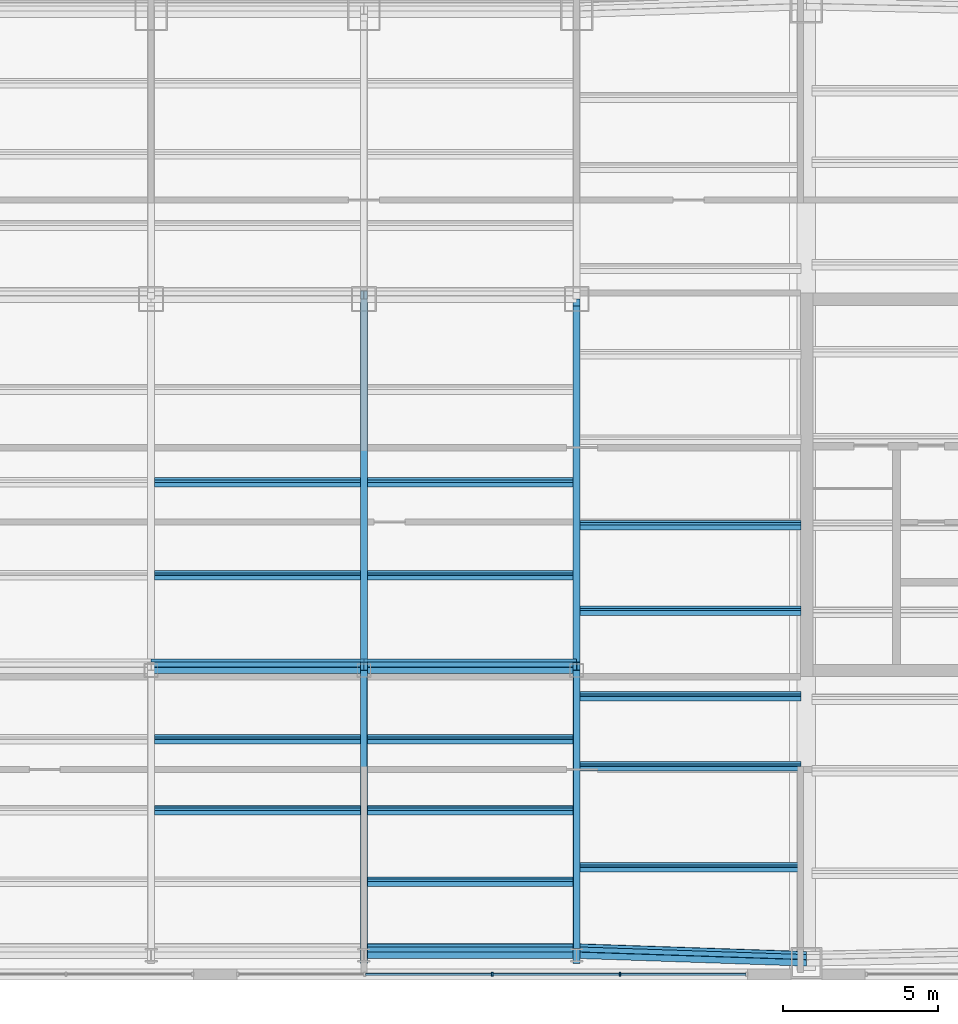
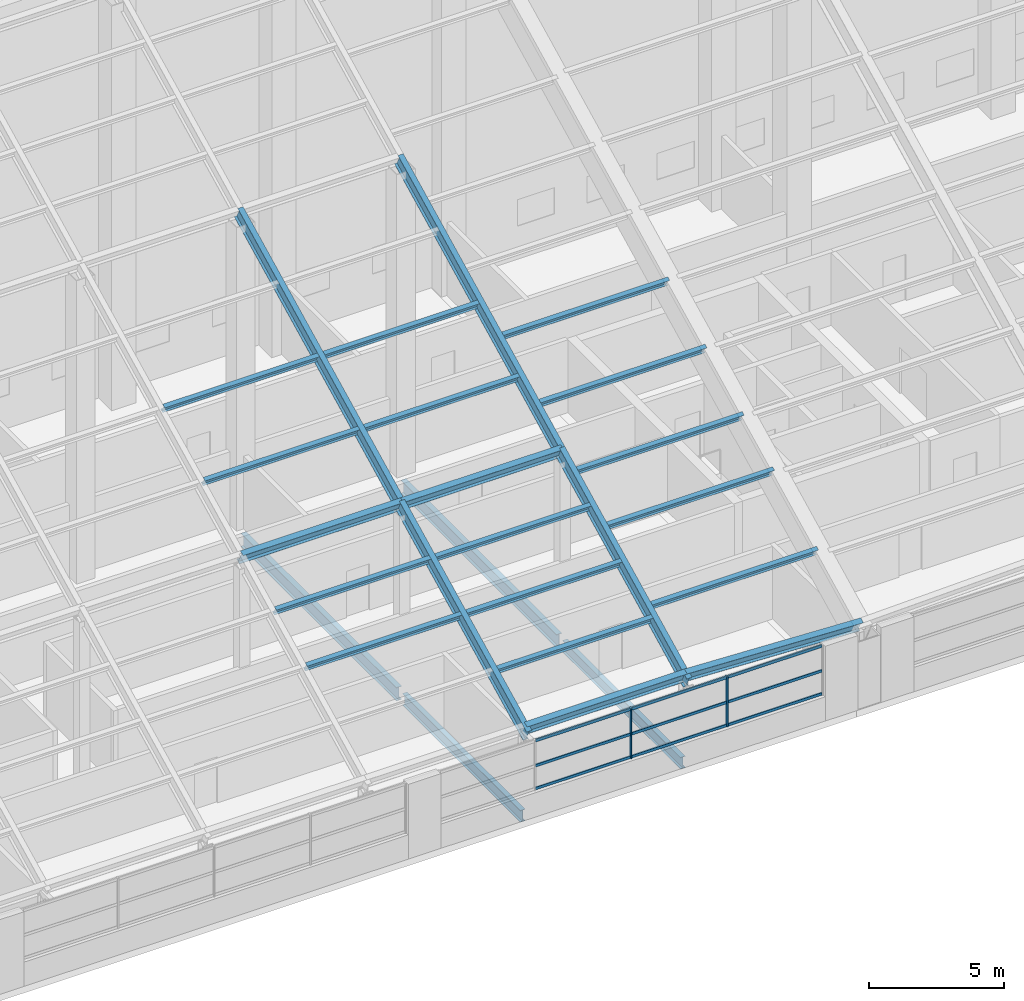
# One storey, part 11 of 28: 33 members, 4 beams, 1 element without a shape of its own.
"""IFC4 building model written with IfcOpenShell, lengths in metres."""

from ifc_helpers import new_model, si_unit, direction, frame, origin, origin_2d, place, context, subcontext, project, spatial, rectangle, i_section, extrude, material, material_profile, profile_set, type_object, element, aggregate, save


model = new_model("IFC4")

# Units and contexts
model_context = context("Model", 3, precision=1e-05, world=origin(), true_north=direction((0.0, 1.0)))
body_context = subcontext(model_context, "Body", "Model", "MODEL_VIEW")
ifc_project = project(units=[si_unit("LENGTHUNIT", "METRE"), si_unit("AREAUNIT", "SQUARE_METRE"), si_unit("VOLUMEUNIT", "CUBIC_METRE"), si_unit("PLANEANGLEUNIT", "RADIAN"), si_unit("MASSUNIT", "GRAM", prefix="KILO")], contexts=[model_context])

# Site, building, storey
site_placement = place(None, origin())
site = spatial("IfcSite", under=ifc_project, at=site_placement, CompositionType="ELEMENT")
building_placement = place(site_placement, origin())
building = spatial("IfcBuilding", under=site, at=building_placement, Name="Tuart Gate Housing", CompositionType="ELEMENT")
storey_placement = place(building_placement, frame((0.0, 0.0, 243.89990234375)))
storey = spatial("IfcBuildingStorey", under=building, at=storey_placement, Name="L68", CompositionType="ELEMENT", Elevation=243.89990234375)

# Members
ifc_material_1 = material(Name="Steel Grade 350", Category="steel")
ifc_material_profile_1 = material_profile(ifc_material_1, i_section(OverallWidth=0.22900390625, OverallDepth=0.612060546875, WebThickness=0.011962890625, FlangeThickness=0.01953125, at=origin_2d()), Name="610UB125")
ifc_profile_set_1 = profile_set([ifc_material_profile_1], Name="Steel Grade 350")
member_type_1 = type_object("IfcMemberType", Name="Crown purlin 610 UB125", PredefinedType="PURLIN", material=ifc_profile_set_1)
member_1_placement = place(storey_placement, frame((117.25, 54.936767578125, 3.426513671875), z_axis=(1.0, 0.0, 0.0), x_axis=(0.0, 0.89442680992, 0.44721435766)))
element("IfcMember", 1, at=member_1_placement, inside=storey, type_object=member_type_1, Name="Crown purlin 12", PredefinedType="PURLIN", context=body_context, shape_type="SweptSolid", body=[
    extrude(i_section(OverallWidth=0.22900390625, OverallDepth=0.612060546875, WebThickness=0.011962890625, FlangeThickness=0.01953125, at=origin_2d()), origin(), (0.0, 0.0, 1.0), 6.875),
])
member_2_placement = place(storey_placement, frame((124.125, 54.936767578125, 3.426513671875), z_axis=(0.999292216984, -0.03364598133, -0.016822990665), x_axis=(0.037617349195, 0.893667083504, 0.44715106944)))
element("IfcMember", 2, at=member_2_placement, inside=storey, type_object=member_type_1, Name="Crown purlin 13", PredefinedType="PURLIN", context=body_context, shape_type="SweptSolid", body=[
    extrude(i_section(OverallWidth=0.22900390625, OverallDepth=0.612060546875, WebThickness=0.011962890625, FlangeThickness=0.01953125, at=origin_2d()), origin(), (0.0, 0.0, 1.0), 7.430419921875),
])
for number, where, z_axis, x_axis, name in (
    (3, (110.375, 64.13671875, 8.0263671875), (1.0, 0.0, 0.0), (0.0, 0.89442680992, 0.44721435766), "Crown purlin 23"),
    (4, (117.25, 64.13671875, 8.0263671875), (1.0, 0.0, 0.0), (0.0, 0.89442680992, 0.44721435766), "Crown purlin 24"),
):
    element("IfcMember", number, at=place(storey_placement, frame(where, z_axis=z_axis, x_axis=x_axis)), inside=storey, type_object=member_type_1, Name=name, PredefinedType="PURLIN", context=body_context, shape_type="SweptSolid", body=[
        extrude(i_section(OverallWidth=0.22900390625, OverallDepth=0.612060546875, WebThickness=0.011962890625, FlangeThickness=0.01953125, at=origin_2d()), origin(), (0.0, 0.0, 1.0), 6.875),
    ])
ifc_material_2 = material(Name="Steel Grade 350", Category="steel")
ifc_material_profile_2 = material_profile(ifc_material_2, i_section(OverallWidth=0.22900390625, OverallDepth=0.612060546875, WebThickness=0.011962890625, FlangeThickness=0.01953125, at=origin_2d()), Name="610UB125")
ifc_profile_set_2 = profile_set([ifc_material_profile_2], Name="Steel Grade 350")
member_type_2 = type_object("IfcMemberType", Name="Crown rafter 610 UB125 (10.3-10.6 m)", PredefinedType="RAFTER", material=ifc_profile_set_2)
for number, where, z_axis, x_axis, name in (
    (5, (117.25, 54.6630859375, 3.28955078125), (0.0, 0.894427191, 0.4472135955), (-1.0, 0.0, 0.0), "Crown rafter 27"),
    (6, (124.125, 54.6630859375, 3.28955078125), (0.0, 0.894427191, 0.4472135955), (-1.0, 0.0, 0.0), "Crown rafter 30"),
):
    element("IfcMember", number, at=place(storey_placement, frame(where, z_axis=z_axis, x_axis=x_axis)), inside=storey, type_object=member_type_2, Name=name, PredefinedType="RAFTER", context=body_context, shape_type="SweptSolid", body=[
        extrude(i_section(OverallWidth=0.22900390625, OverallDepth=0.612060546875, WebThickness=0.011962890625, FlangeThickness=0.01953125, at=origin_2d()), origin(), (0.0, 0.0, 1.0), 10.591796875),
    ])
ifc_material_3 = material(Name="Steel Grade 350", Category="steel")
ifc_material_profile_3 = material_profile(ifc_material_3, i_section(OverallWidth=0.22900390625, OverallDepth=0.612060546875, WebThickness=0.011962890625, FlangeThickness=0.01953125, at=origin_2d()), Name="610UB125")
ifc_profile_set_3 = profile_set([ifc_material_profile_3], Name="Steel Grade 350")
member_type_3 = type_object("IfcMemberType", Name="Crown rafter 610 UB125 (13.4-13.4 m)", PredefinedType="RAFTER", material=ifc_profile_set_3)
for number, where, z_axis, x_axis, name in (
    (7, (117.25, 64.13671875, 8.0263671875), (0.0, 0.894427191, 0.4472135955), (-1.0, 0.0, 0.0), "Crown rafter 28"),
    (8, (124.125, 64.13671875, 8.0263671875), (0.0, 0.894427191, 0.4472135955), (-1.0, 0.0, 0.0), "Crown rafter 31"),
):
    element("IfcMember", number, at=place(storey_placement, frame(where, z_axis=z_axis, x_axis=x_axis)), inside=storey, type_object=member_type_3, Name=name, PredefinedType="RAFTER", context=body_context, shape_type="SweptSolid", body=[
        extrude(i_section(OverallWidth=0.22900390625, OverallDepth=0.612060546875, WebThickness=0.011962890625, FlangeThickness=0.01953125, at=origin_2d()), origin(), (0.0, 0.0, 1.0), 13.41650390625),
    ])
ifc_material_4 = material(Name="Steel Grade 350", Category="steel")
ifc_material_profile_4 = material_profile(ifc_material_4, i_section(OverallWidth=0.1708984375, OverallDepth=0.35205078125, WebThickness=0.0068359375, FlangeThickness=0.009765625, at=origin_2d()), Name="360UB44.7")
ifc_profile_set_4 = profile_set([ifc_material_profile_4], Name="Steel Grade 350")
member_type_4 = type_object("IfcMemberType", Name="Crown secondary purlin 360 UB44.7", PredefinedType="PURLIN", material=ifc_profile_set_4)
member_3_placement = place(storey_placement, frame((117.364501953125, 57.1787109375, 4.692626953125), z_axis=(1.0, 0.0, 0.0), x_axis=(0.0, 0.89442680992, 0.44721435766)))
element("IfcMember", 9, at=member_3_placement, inside=storey, type_object=member_type_4, Name="Crown secondary purlin 6", PredefinedType="PURLIN", context=body_context, shape_type="SweptSolid", body=[
    extrude(i_section(OverallWidth=0.1708984375, OverallDepth=0.35205078125, WebThickness=0.0068359375, FlangeThickness=0.009765625, at=origin_2d()), origin(), (0.0, 0.0, 1.0), 6.64599609375),
])
member_4_placement = place(storey_placement, frame((124.239501953125, 57.642333984375, 4.924560546875), z_axis=(1.0, 0.0, 0.0), x_axis=(0.0, 0.89442680992, 0.44721435766)))
element("IfcMember", 10, at=member_4_placement, inside=storey, type_object=member_type_4, Name="Crown secondary purlin 13", PredefinedType="PURLIN", context=body_context, shape_type="SweptSolid", body=[
    extrude(i_section(OverallWidth=0.1708984375, OverallDepth=0.35205078125, WebThickness=0.0068359375, FlangeThickness=0.009765625, at=origin_2d()), origin(), (0.0, 0.0, 1.0), 7.135498046875),
])
for number, where, z_axis, x_axis, name in (
    (11, (110.489501953125, 59.478759765625, 5.8427734375), (1.0, 0.0, 0.0), (0.0, 0.89442680992, 0.44721435766), "Crown secondary purlin 20"),
    (12, (117.364501953125, 59.478759765625, 5.8427734375), (1.0, 0.0, 0.0), (0.0, 0.89442680992, 0.44721435766), "Crown secondary purlin 21"),
):
    element("IfcMember", number, at=place(storey_placement, frame(where, z_axis=z_axis, x_axis=x_axis)), inside=storey, type_object=member_type_4, Name=name, PredefinedType="PURLIN", context=body_context, shape_type="SweptSolid", body=[
        extrude(i_section(OverallWidth=0.1708984375, OverallDepth=0.35205078125, WebThickness=0.0068359375, FlangeThickness=0.009765625, at=origin_2d()), origin(), (0.0, 0.0, 1.0), 6.64599609375),
    ])
member_5_placement = place(storey_placement, frame((124.239501953125, 60.906005859375, 6.556396484375), z_axis=(1.0, 0.0, 0.0), x_axis=(0.0, 0.89442680992, 0.44721435766)))
element("IfcMember", 13, at=member_5_placement, inside=storey, type_object=member_type_4, Name="Crown secondary purlin 26", PredefinedType="PURLIN", context=body_context, shape_type="SweptSolid", body=[
    extrude(i_section(OverallWidth=0.1708984375, OverallDepth=0.35205078125, WebThickness=0.0068359375, FlangeThickness=0.009765625, at=origin_2d()), origin(), (0.0, 0.0, 1.0), 7.135498046875),
])
for number, where, z_axis, x_axis, name in (
    (14, (110.489501953125, 61.77880859375, 6.99267578125), (1.0, 0.0, 0.0), (0.0, 0.89442680992, 0.44721435766), "Crown secondary purlin 32"),
    (15, (117.364501953125, 61.77880859375, 6.99267578125), (1.0, 0.0, 0.0), (0.0, 0.89442680992, 0.44721435766), "Crown secondary purlin 33"),
):
    element("IfcMember", number, at=place(storey_placement, frame(where, z_axis=z_axis, x_axis=x_axis)), inside=storey, type_object=member_type_4, Name=name, PredefinedType="PURLIN", context=body_context, shape_type="SweptSolid", body=[
        extrude(i_section(OverallWidth=0.1708984375, OverallDepth=0.35205078125, WebThickness=0.0068359375, FlangeThickness=0.009765625, at=origin_2d()), origin(), (0.0, 0.0, 1.0), 6.64599609375),
    ])
for number, where, z_axis, x_axis, name in (
    (16, (124.239501953125, 63.169677734375, 7.68798828125), (1.0, 0.0, 0.0), (0.0, 0.89442680992, 0.44721435766), "Crown secondary purlin 40"),
    (17, (124.239501953125, 65.93310546875, 9.06982421875), (1.0, 0.0, 0.0), (0.0, 0.89442680992, 0.44721435766), "Crown secondary purlin 49"),
):
    element("IfcMember", number, at=place(storey_placement, frame(where, z_axis=z_axis, x_axis=x_axis)), inside=storey, type_object=member_type_4, Name=name, PredefinedType="PURLIN", context=body_context, shape_type="SweptSolid", body=[
        extrude(i_section(OverallWidth=0.1708984375, OverallDepth=0.35205078125, WebThickness=0.0068359375, FlangeThickness=0.009765625, at=origin_2d()), origin(), (0.0, 0.0, 1.0), 7.135498046875),
    ])
for number, where, z_axis, x_axis, name in (
    (18, (110.489501953125, 67.07861328125, 9.642578125), (1.0, 0.0, 0.0), (0.0, 0.89442680992, 0.44721435766), "Crown secondary purlin 56"),
    (19, (117.364501953125, 67.07861328125, 9.642578125), (1.0, 0.0, 0.0), (0.0, 0.89442680992, 0.44721435766), "Crown secondary purlin 57"),
):
    element("IfcMember", number, at=place(storey_placement, frame(where, z_axis=z_axis, x_axis=x_axis)), inside=storey, type_object=member_type_4, Name=name, PredefinedType="PURLIN", context=body_context, shape_type="SweptSolid", body=[
        extrude(i_section(OverallWidth=0.1708984375, OverallDepth=0.35205078125, WebThickness=0.0068359375, FlangeThickness=0.009765625, at=origin_2d()), origin(), (0.0, 0.0, 1.0), 6.64599609375),
    ])
member_6_placement = place(storey_placement, frame((124.239501953125, 68.697021484375, 10.451904296875), z_axis=(1.0, 0.0, 0.0), x_axis=(0.0, 0.89442680992, 0.44721435766)))
element("IfcMember", 20, at=member_6_placement, inside=storey, type_object=member_type_4, Name="Crown secondary purlin 63", PredefinedType="PURLIN", context=body_context, shape_type="SweptSolid", body=[
    extrude(i_section(OverallWidth=0.1708984375, OverallDepth=0.35205078125, WebThickness=0.0068359375, FlangeThickness=0.009765625, at=origin_2d()), origin(), (0.0, 0.0, 1.0), 7.135498046875),
])
for number, where, z_axis, x_axis, name in (
    (21, (110.489501953125, 70.07861328125, 11.142578125), (1.0, 0.0, 0.0), (0.0, 0.89442680992, 0.44721435766), "Crown secondary purlin 71"),
    (22, (117.364501953125, 70.07861328125, 11.142578125), (1.0, 0.0, 0.0), (0.0, 0.89442680992, 0.44721435766), "Crown secondary purlin 72"),
):
    element("IfcMember", number, at=place(storey_placement, frame(where, z_axis=z_axis, x_axis=x_axis)), inside=storey, type_object=member_type_4, Name=name, PredefinedType="PURLIN", context=body_context, shape_type="SweptSolid", body=[
        extrude(i_section(OverallWidth=0.1708984375, OverallDepth=0.35205078125, WebThickness=0.0068359375, FlangeThickness=0.009765625, at=origin_2d()), origin(), (0.0, 0.0, 1.0), 6.64599609375),
    ])

# Beams
ifc_material_5 = material(Name="Steel Grade 350", Category="steel")
ifc_material_profile_5 = material_profile(ifc_material_5, i_section(OverallWidth=0.208984375, OverallDepth=0.532958984375, WebThickness=0.01025390625, FlangeThickness=0.015625, at=origin_2d()), Name="530UB92.4")
ifc_profile_set_5 = profile_set([ifc_material_profile_5], Name="Steel Grade 350")
beam_type_1 = type_object("IfcBeamType", Name="Floor beam 530 UB92.4", PredefinedType="BEAM", material=ifc_profile_set_5)
for number, where, z_axis, x_axis, name in (
    (23, (117.25, 55.014892578125, -0.56689453125), (0.0, 1.0, 0.0), (-1.0, 0.0, 0.0), "Block floor beam L68 bay 6 position 1"),
    (24, (124.125, 55.014892578125, -0.56689453125), (0.0, 1.0, 0.0), (-1.0, 0.0, 0.0), "Block floor beam L68 bay 7 position 1"),
):
    element("IfcBeam", number, at=place(storey_placement, frame(where, z_axis=z_axis, x_axis=x_axis)), inside=storey, type_object=beam_type_1, Name=name, PredefinedType="BEAM", context=body_context, shape_type="SweptSolid", body=[
        extrude(i_section(OverallWidth=0.208984375, OverallDepth=0.532958984375, WebThickness=0.01025390625, FlangeThickness=0.015625, at=origin_2d()), origin(), (0.0, 0.0, 1.0), 8.77001953125),
    ])
ifc_material_6 = material(Name="Steel Grade 350", Category="steel")
ifc_material_profile_6 = material_profile(ifc_material_6, i_section(OverallWidth=0.22900390625, OverallDepth=0.612060546875, WebThickness=0.011962890625, FlangeThickness=0.01953125, at=origin_2d()), Name="610UB125")
ifc_profile_set_6 = profile_set([ifc_material_profile_6], Name="Steel Grade 350")
beam_type_2 = type_object("IfcBeamType", Name="Floor beam 610 UB125", PredefinedType="BEAM", material=ifc_profile_set_6)
for number, where, z_axis, x_axis, name in (
    (25, (117.25, 64.215087890625, -0.60595703125), (0.0, 1.0, 0.0), (-1.0, 0.0, 0.0), "Block floor beam L68 bay 6 position 2"),
    (26, (124.125, 64.215087890625, -0.60595703125), (0.0, 1.0, 0.0), (-1.0, 0.0, 0.0), "Block floor beam L68 bay 7 position 2"),
):
    element("IfcBeam", number, at=place(storey_placement, frame(where, z_axis=z_axis, x_axis=x_axis)), inside=storey, type_object=beam_type_2, Name=name, PredefinedType="BEAM", context=body_context, shape_type="SweptSolid", body=[
        extrude(i_section(OverallWidth=0.22900390625, OverallDepth=0.612060546875, WebThickness=0.011962890625, FlangeThickness=0.01953125, at=origin_2d()), origin(), (0.0, 0.0, 1.0), 11.56982421875),
    ])

# Curtain wall, members
ifc_material_7 = material(Name="Aluminium and clear glass", Category="aluminium")
curtain_wall_type = type_object("IfcCurtainWallType", Name="Crown clerestory glazing", PredefinedType="USERDEFINED", material=ifc_material_7)
curtain_wall_placement = place(storey_placement, origin())
curtain_wall = element("IfcCurtainWall", 27, at=curtain_wall_placement, inside=storey, type_object=curtain_wall_type, Name="Crown clerestory glazing BLK-S L68", ObjectType="CROWN CLERESTORY GLAZING", PredefinedType="USERDEFINED")
ifc_material_8 = material(Name="Anodised aluminium", Category="aluminium")
ifc_material_profile_7 = material_profile(ifc_material_8, rectangle(XDim=0.06005859375, YDim=0.125, at=origin_2d()), Name="60x125")
ifc_profile_set_7 = profile_set([ifc_material_profile_7], Name="Anodised aluminium")
member_type_5 = type_object("IfcMemberType", Name="Mullion 60 x 125", PredefinedType="MULLION", material=ifc_profile_set_7)
member_7_placement = place(storey_placement, frame((121.39990234375, 54.179931640625, 1.10009765625), z_axis=(0.0, 0.0, 1.0), x_axis=(1.0, 0.0, 0.0)))
member_7 = element("IfcMember", 28, at=member_7_placement, type_object=member_type_5, Name="CW6 mullion 3", PredefinedType="MULLION", context=body_context, shape_type="SweptSolid", body=[
    extrude(rectangle(XDim=0.06005859375, YDim=0.125, at=origin_2d()), origin(), (0.0, 0.0, 1.0), 2.2900390625),
])
member_8_placement = place(storey_placement, frame((125.52490234375, 54.179931640625, 1.10009765625), z_axis=(0.0, 0.0, 1.0), x_axis=(1.0, 0.0, 0.0)))
member_8 = element("IfcMember", 29, at=member_8_placement, type_object=member_type_5, Name="CW6 mullion 4", PredefinedType="MULLION", context=body_context, shape_type="SweptSolid", body=[
    extrude(rectangle(XDim=0.06005859375, YDim=0.125, at=origin_2d()), origin(), (0.0, 0.0, 1.0), 2.2900390625),
])
ifc_material_9 = material(Name="Anodised aluminium", Category="aluminium")
ifc_material_profile_8 = material_profile(ifc_material_9, rectangle(XDim=0.06005859375, YDim=0.1201171875, at=origin_2d()), Name="60x120")
ifc_profile_set_8 = profile_set([ifc_material_profile_8], Name="Anodised aluminium")
member_type_6 = type_object("IfcMemberType", Name="Transom 60 x 120", PredefinedType="USERDEFINED", material=ifc_profile_set_8)
member_9_placement = place(storey_placement, frame((117.304931640625, 54.179931640625, 1.16015625), z_axis=(1.0, 0.0, 0.0), x_axis=(0.0, 1.0, 0.0)))
member_9 = element("IfcMember", 30, at=member_9_placement, type_object=member_type_6, Name="CW6 transom 2.1", ObjectType="TRANSOM", PredefinedType="USERDEFINED", context=body_context, shape_type="SweptSolid", body=[
    extrude(rectangle(XDim=0.06005859375, YDim=0.1201171875, at=origin_2d()), origin(), (0.0, 0.0, 1.0), 4.065185546875),
])
member_10_placement = place(storey_placement, frame((117.304931640625, 54.179931640625, 2.2001953125), z_axis=(1.0, 0.0, 0.0), x_axis=(0.0, 1.0, 0.0)))
member_10 = element("IfcMember", 31, at=member_10_placement, type_object=member_type_6, Name="CW6 transom 2.2", ObjectType="TRANSOM", PredefinedType="USERDEFINED", context=body_context, shape_type="SweptSolid", body=[
    extrude(rectangle(XDim=0.06005859375, YDim=0.1201171875, at=origin_2d()), origin(), (0.0, 0.0, 1.0), 4.065185546875),
])
member_11_placement = place(storey_placement, frame((117.304931640625, 54.179931640625, 3.330078125), z_axis=(1.0, 0.0, 0.0), x_axis=(0.0, 1.0, 0.0)))
member_11 = element("IfcMember", 32, at=member_11_placement, type_object=member_type_6, Name="CW6 transom 2.3", ObjectType="TRANSOM", PredefinedType="USERDEFINED", context=body_context, shape_type="SweptSolid", body=[
    extrude(rectangle(XDim=0.06005859375, YDim=0.1201171875, at=origin_2d()), origin(), (0.0, 0.0, 1.0), 4.065185546875),
])
member_12_placement = place(storey_placement, frame((121.429931640625, 54.179931640625, 1.16015625), z_axis=(1.0, 0.0, 0.0), x_axis=(0.0, 1.0, 0.0)))
member_12 = element("IfcMember", 33, at=member_12_placement, type_object=member_type_6, Name="CW6 transom 3.1", ObjectType="TRANSOM", PredefinedType="USERDEFINED", context=body_context, shape_type="SweptSolid", body=[
    extrude(rectangle(XDim=0.06005859375, YDim=0.1201171875, at=origin_2d()), origin(), (0.0, 0.0, 1.0), 4.065185546875),
])
member_13_placement = place(storey_placement, frame((121.429931640625, 54.179931640625, 2.2001953125), z_axis=(1.0, 0.0, 0.0), x_axis=(0.0, 1.0, 0.0)))
member_13 = element("IfcMember", 34, at=member_13_placement, type_object=member_type_6, Name="CW6 transom 3.2", ObjectType="TRANSOM", PredefinedType="USERDEFINED", context=body_context, shape_type="SweptSolid", body=[
    extrude(rectangle(XDim=0.06005859375, YDim=0.1201171875, at=origin_2d()), origin(), (0.0, 0.0, 1.0), 4.065185546875),
])
member_14_placement = place(storey_placement, frame((121.429931640625, 54.179931640625, 3.330078125), z_axis=(1.0, 0.0, 0.0), x_axis=(0.0, 1.0, 0.0)))
member_14 = element("IfcMember", 35, at=member_14_placement, type_object=member_type_6, Name="CW6 transom 3.3", ObjectType="TRANSOM", PredefinedType="USERDEFINED", context=body_context, shape_type="SweptSolid", body=[
    extrude(rectangle(XDim=0.06005859375, YDim=0.1201171875, at=origin_2d()), origin(), (0.0, 0.0, 1.0), 4.065185546875),
])
member_15_placement = place(storey_placement, frame((125.554931640625, 54.179931640625, 1.16015625), z_axis=(1.0, 0.0, 0.0), x_axis=(0.0, 1.0, 0.0)))
member_15 = element("IfcMember", 36, at=member_15_placement, type_object=member_type_6, Name="CW6 transom 4.1", ObjectType="TRANSOM", PredefinedType="USERDEFINED", context=body_context, shape_type="SweptSolid", body=[
    extrude(rectangle(XDim=0.06005859375, YDim=0.1201171875, at=origin_2d()), origin(), (0.0, 0.0, 1.0), 4.03515625),
])
member_16_placement = place(storey_placement, frame((125.554931640625, 54.179931640625, 2.2001953125), z_axis=(1.0, 0.0, 0.0), x_axis=(0.0, 1.0, 0.0)))
member_16 = element("IfcMember", 37, at=member_16_placement, type_object=member_type_6, Name="CW6 transom 4.2", ObjectType="TRANSOM", PredefinedType="USERDEFINED", context=body_context, shape_type="SweptSolid", body=[
    extrude(rectangle(XDim=0.06005859375, YDim=0.1201171875, at=origin_2d()), origin(), (0.0, 0.0, 1.0), 4.03515625),
])
member_17_placement = place(storey_placement, frame((125.554931640625, 54.179931640625, 3.330078125), z_axis=(1.0, 0.0, 0.0), x_axis=(0.0, 1.0, 0.0)))
member_17 = element("IfcMember", 38, at=member_17_placement, type_object=member_type_6, Name="CW6 transom 4.3", ObjectType="TRANSOM", PredefinedType="USERDEFINED", context=body_context, shape_type="SweptSolid", body=[
    extrude(rectangle(XDim=0.06005859375, YDim=0.1201171875, at=origin_2d()), origin(), (0.0, 0.0, 1.0), 4.03515625),
])
aggregate(curtain_wall, [member_7, member_8, member_9, member_10, member_11, member_12, member_13, member_14, member_15, member_16, member_17])

save(model, "model.ifc")
